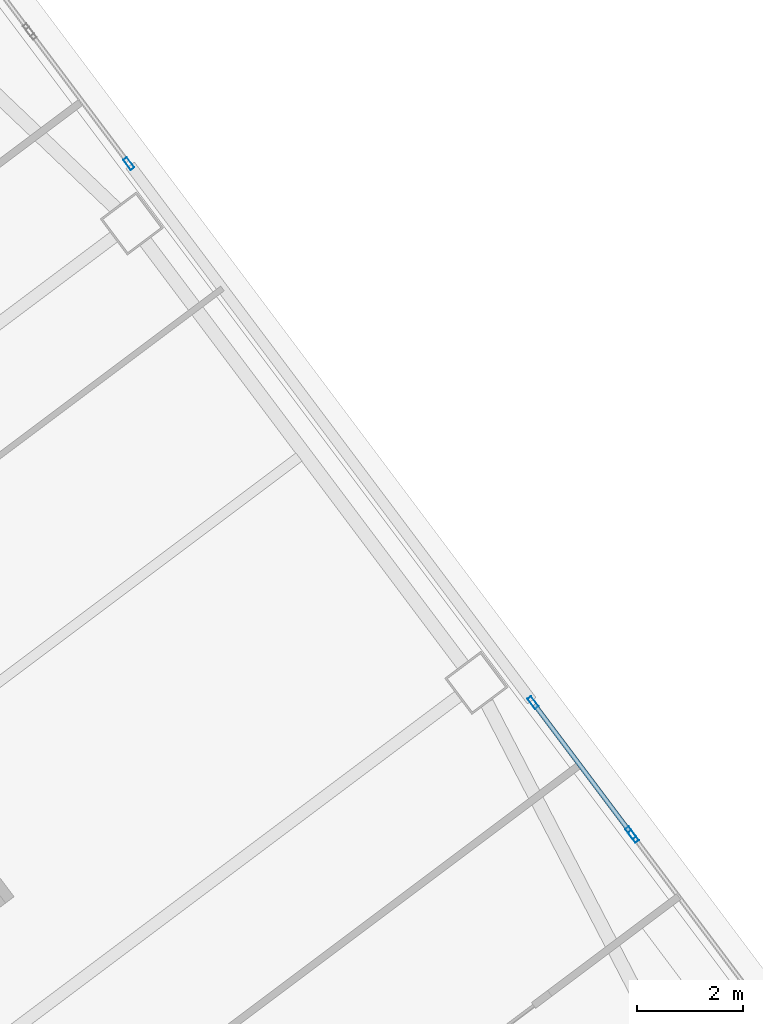
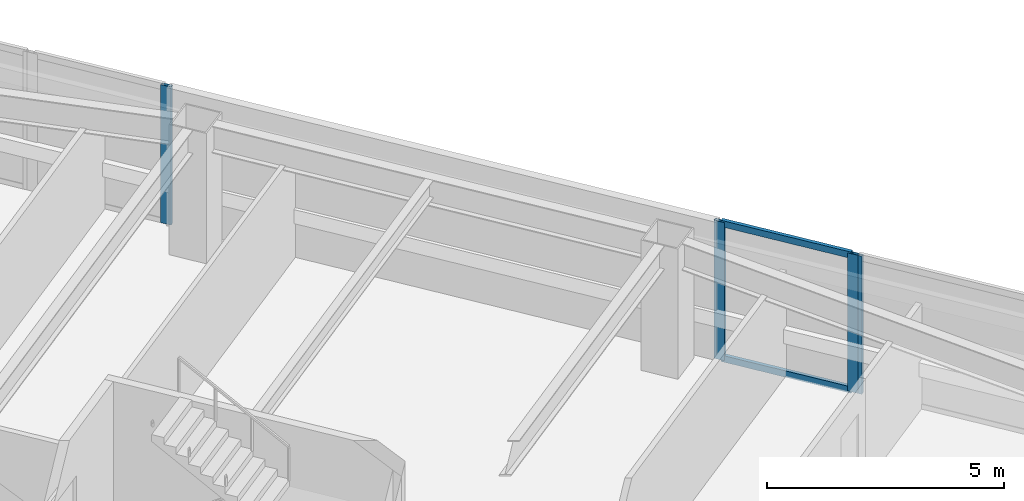
# One storey, part 30 of 46: 6 members, 3 elements without a shape of their own.
"""IFC4 building model written with IfcOpenShell, lengths in metres."""

from ifc_helpers import new_model, si_unit, direction, frame, origin, origin_2d, place, context, subcontext, project, spatial, hollow_rectangle, extrude, material, material_profile, profile_set, type_object, element, aggregate, save


model = new_model("IFC4")

# Units and contexts
model_context = context("Model", 3, precision=1e-05, world=origin(), true_north=direction((0.0, 1.0)))
body_context = subcontext(model_context, "Body", "Model", "MODEL_VIEW")
ifc_project = project(units=[si_unit("LENGTHUNIT", "METRE"), si_unit("AREAUNIT", "SQUARE_METRE"), si_unit("VOLUMEUNIT", "CUBIC_METRE"), si_unit("PLANEANGLEUNIT", "RADIAN"), si_unit("MASSUNIT", "GRAM", prefix="KILO")], contexts=[model_context])

# Site, building, storey
site_placement = place(None, origin())
site = spatial("IfcSite", under=ifc_project, at=site_placement, CompositionType="ELEMENT")
building_placement = place(site_placement, origin())
building = spatial("IfcBuilding", under=site, at=building_placement, Name="Tashvorn Skyway Center", CompositionType="ELEMENT")
storey_placement = place(building_placement, frame((0.0, 0.0, 31.699951171875)))
storey = spatial("IfcBuildingStorey", under=building, at=storey_placement, Name="L07", CompositionType="ELEMENT", Elevation=31.699951171875)

# Curtain wall, member
ifc_material = material(Name="Thermally broken bronze-anodized aluminium 6063-T6", Category="aluminium")
curtain_wall_type = type_object("IfcCurtainWallType", Name="CW-CW-Z1", PredefinedType="NOTDEFINED", material=ifc_material)
curtain_wall_1_placement = place(storey_placement, origin())
curtain_wall_1 = element("IfcCurtainWall", 1, at=curtain_wall_1_placement, inside=storey, type_object=curtain_wall_type, Name="Tower 2 L07 East Unitised Curtain Wall Glazing Group 2", PredefinedType="NOTDEFINED")
ifc_material_profile_1 = material_profile(ifc_material, hollow_rectangle(XDim=0.0849609375, YDim=0.239990234375, WallThickness=0.0048828125, at=origin_2d()), Name="ALU-MULL-85x240")
ifc_profile_set_1 = profile_set([ifc_material_profile_1], Name="Thermally broken bronze-anodized aluminium 6063-T6")
member_type_1 = type_object("IfcMemberType", Name="CWM-CW-Z1", PredefinedType="MULLION", material=ifc_profile_set_1)
member_1_placement = place(storey_placement, frame((127.54248046875, 50.07666015625, 0.0), z_axis=(0.0, 0.0, 1.0), x_axis=(0.799996186392, 0.600005084776, 0.0)))
member_1 = element("IfcMember", 2, at=member_1_placement, type_object=member_type_1, Name="CW-Z1 mullion 2", PredefinedType="MULLION", context=body_context, shape_type="SweptSolid", body=[
    extrude(hollow_rectangle(XDim=0.0849609375, YDim=0.239990234375, WallThickness=0.0048828125, at=origin_2d()), origin(), (0.0, 0.0, 1.0), 3.550048828125),
])
aggregate(curtain_wall_1, [member_1])

# Curtain wall, members
curtain_wall_2_placement = place(storey_placement, origin())
curtain_wall_2 = element("IfcCurtainWall", 3, at=curtain_wall_2_placement, inside=storey, type_object=curtain_wall_type, Name="Tower 2 L07 East Unitised Curtain Wall Glazing Group 3", PredefinedType="NOTDEFINED")
member_2_placement = place(storey_placement, frame((135.1455078125, 39.939208984375, 0.0), z_axis=(0.0, 0.0, 1.0), x_axis=(0.799996186392, 0.600005084776, 0.0)))
member_2 = element("IfcMember", 4, at=member_2_placement, type_object=member_type_1, Name="CW-Z1 mullion 1", PredefinedType="MULLION", context=body_context, shape_type="SweptSolid", body=[
    extrude(hollow_rectangle(XDim=0.0849609375, YDim=0.239990234375, WallThickness=0.0048828125, at=origin_2d()), origin(), (0.0, 0.0, 1.0), 3.550048828125),
])
member_3_placement = place(storey_placement, frame((136.982421875, 37.489990234375, 0.0), z_axis=(0.0, 0.0, 1.0), x_axis=(0.799996186392, 0.600005084776, 0.0)))
member_3 = element("IfcMember", 5, at=member_3_placement, type_object=member_type_1, Name="CW-Z1 mullion 2", PredefinedType="MULLION", context=body_context, shape_type="SweptSolid", body=[
    extrude(hollow_rectangle(XDim=0.0849609375, YDim=0.239990234375, WallThickness=0.0048828125, at=origin_2d()), origin(), (0.0, 0.0, 1.0), 3.550048828125),
])

# Curtain wall, member
curtain_wall_3_placement = place(storey_placement, origin())
curtain_wall_3 = element("IfcCurtainWall", 6, at=curtain_wall_3_placement, inside=storey, type_object=curtain_wall_type, Name="Tower 2 L07 East Unitised Curtain Wall Glazing Group 4", PredefinedType="NOTDEFINED")
member_4_placement = place(storey_placement, frame((137.033447265625, 37.422119140625, 0.0), z_axis=(0.0, 0.0, 1.0), x_axis=(0.799999999998, 0.600000000002, 0.0)))
member_4 = element("IfcMember", 7, at=member_4_placement, type_object=member_type_1, Name="CW-Z1 mullion 1", PredefinedType="MULLION", context=body_context, shape_type="SweptSolid", body=[
    extrude(hollow_rectangle(XDim=0.0849609375, YDim=0.239990234375, WallThickness=0.0048828125, at=origin_2d()), origin(), (0.0, 0.0, 1.0), 3.550048828125),
])
aggregate(curtain_wall_3, [member_4])

# Member
ifc_material_profile_2 = material_profile(ifc_material, hollow_rectangle(XDim=0.0849609375, YDim=0.1650390625, WallThickness=0.0048828125, at=origin_2d()), Name="ALU-TRAN-85x165")
ifc_profile_set_2 = profile_set([ifc_material_profile_2], Name="Thermally broken bronze-anodized aluminium 6063-T6")
member_type_2 = type_object("IfcMemberType", Name="CWT-CW-Z1", PredefinedType="USERDEFINED", material=ifc_profile_set_2)
member_5_placement = place(storey_placement, frame((135.1708984375, 39.9052734375, 0.04248046875), z_axis=(0.600026244674, -0.799980315822, 0.0), x_axis=(0.799980315822, 0.600026244674, 0.0)))
member_5 = element("IfcMember", 8, at=member_5_placement, type_object=member_type_2, Name="CW-Z1 transom 1.1", ObjectType="TRANSOM", PredefinedType="USERDEFINED", context=body_context, shape_type="SweptSolid", body=[
    extrude(hollow_rectangle(XDim=0.0849609375, YDim=0.1650390625, WallThickness=0.0048828125, at=origin_2d()), origin(), (0.0, 0.0, 1.0), 2.976806640625),
])

member_6_placement = place(storey_placement, frame((135.1708984375, 39.9052734375, 3.507568359375), z_axis=(0.600026244674, -0.799980315822, 0.0), x_axis=(0.799980315822, 0.600026244674, 0.0)))
member_6 = element("IfcMember", 9, at=member_6_placement, type_object=member_type_2, Name="CW-Z1 transom 1.2", ObjectType="TRANSOM", PredefinedType="USERDEFINED", context=body_context, shape_type="SweptSolid", body=[
    extrude(hollow_rectangle(XDim=0.0849609375, YDim=0.1650390625, WallThickness=0.0048828125, at=origin_2d()), origin(), (0.0, 0.0, 1.0), 2.976806640625),
])

aggregate(curtain_wall_2, [member_2, member_3, member_5, member_6])

save(model, "model.ifc")
